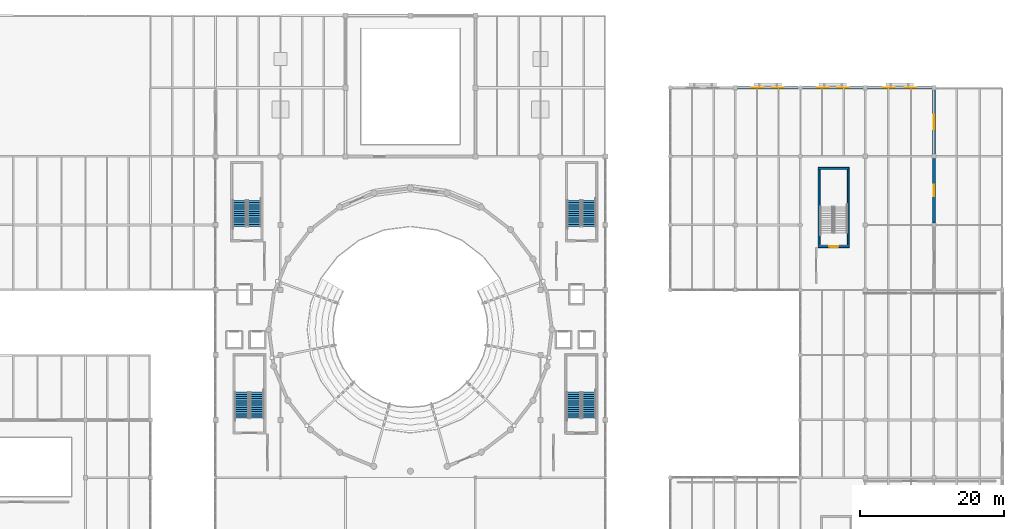
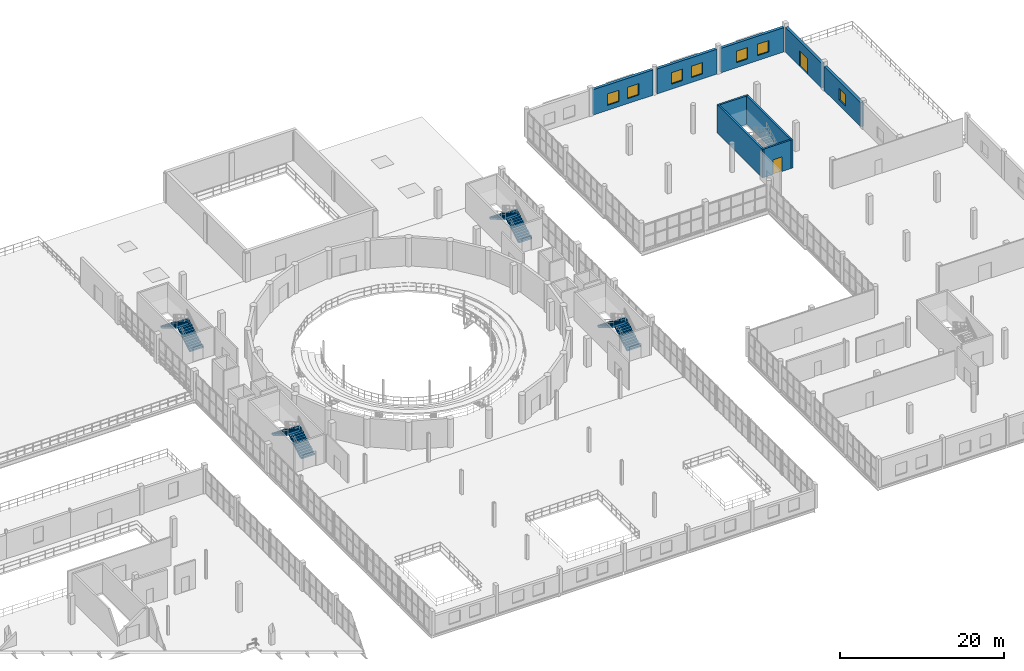
# One storey, part 60 of 73: 9 walls, 8 stair flights, 7 windows, 2 doors, 9 openings, 4 elements without a shape of their own.
"""IFC4 building model written with IfcOpenShell, lengths in metres."""

from ifc_helpers import new_model, si_unit, direction, frame, frame_2d, origin, place, context, subcontext, project, spatial, polyline, rectangle, outline, extrude, material, layer, layer_set, type_object, element, fill, aggregate, save


model = new_model("IFC4")

# Units and contexts
model_context = context("Model", 3, precision=1e-05, world=origin(), true_north=direction((0.0, 1.0)))
body_context = subcontext(model_context, "Body", "Model", "MODEL_VIEW")
ifc_project = project(units=[si_unit("LENGTHUNIT", "METRE"), si_unit("AREAUNIT", "SQUARE_METRE"), si_unit("VOLUMEUNIT", "CUBIC_METRE"), si_unit("PLANEANGLEUNIT", "RADIAN"), si_unit("MASSUNIT", "GRAM", prefix="KILO")], contexts=[model_context])

# Site, building, storey
site_placement = place(None, origin())
site = spatial("IfcSite", under=ifc_project, at=site_placement, CompositionType="ELEMENT")
building_placement = place(site_placement, origin())
building = spatial("IfcBuilding", under=site, at=building_placement, Name="Marnock Terrace Opera House", CompositionType="ELEMENT")
storey_placement = place(building_placement, frame((0.0, 0.0, 14.699951171875)))
storey = spatial("IfcBuildingStorey", under=building, at=storey_placement, Name="L03", CompositionType="ELEMENT", Elevation=14.699951171875)

# Wall, opening, window
ifc_material_1 = material(Name="Basket Range sandstone ashlar masonry", Category="masonry")
ifc_layer_1 = layer(ifc_material_1, 0.389892578125)
ifc_layer_set_1 = layer_set([ifc_layer_1], Name="Basket Range sandstone ashlar masonry")
wall_type_1 = type_object("IfcWallType", Name="EW-ASHLAR-390", PredefinedType="SOLIDWALL", material=ifc_layer_set_1)
wall_1_placement = place(storey_placement, frame((154.5, 75.2958984375, 0.0), z_axis=(0.0, 0.0, 1.0), x_axis=(0.0, 1.0, 0.0)))
wall_1 = element("IfcWall", 1, at=wall_1_placement, inside=storey, type_object=wall_type_1, Name="L03 Volume 5 east sandstone facade 9", PredefinedType="SOLIDWALL", context=body_context, shape_type="SweptSolid", body=[
    extrude(rectangle(XDim=8.908203125, YDim=0.389892578125, at=frame_2d((4.4541015625, 0.0))), origin(), (0.0, 0.0, 1.0), 3.6181640625),
])
opening_1_placement = place(wall_1_placement, frame((3.654052734375, 0.0, 0.85009765625)))
opening_1 = element("IfcOpeningElement", 2, at=opening_1_placement, cuts=wall_1, Name="Opening WT-107", PredefinedType="OPENING", context=body_context, shape_type="SweptSolid", body=[
    extrude(rectangle(XDim=1.60009765625, YDim=1.699951171875, at=frame_2d((0.800048828125, 0.85009765625))), frame((0.0, 0.204833984375, 0.0), z_axis=(0.0, -1.0, 0.0), x_axis=(1.0, 0.0, 0.0)), (0.0, 0.0, 1.0), 0.409912109375),
])
ifc_material_2 = material(Name="Double-glazed acoustic low-E laminated glass", Category="glass")
window_type = type_object("IfcWindowType", Name="WT-ATTIC-1600", PartitioningType="SINGLE_PANEL", PredefinedType="WINDOW", material=ifc_material_2)
window_1_placement = place(opening_1_placement, origin())
window_1 = element("IfcWindow", 3, at=window_1_placement, inside=storey, type_object=window_type, Name="L03 facade window EW-V5E-L03-09.1", OverallHeight=1.699951171875, OverallWidth=1.60009765625, PartitioningType="SINGLE_PANEL", PredefinedType="WINDOW", context=body_context, shape_type="SweptSolid", body=[
    extrude(rectangle(XDim=1.60009765625, YDim=1.699951171875, at=frame_2d((0.800048828125, 0.85009765625))), frame((0.0, 0.030029296875, 0.0), z_axis=(0.0, -1.0, 0.0), x_axis=(1.0, 0.0, 0.0)), (0.0, 0.0, 1.0), 0.06005859375),
])
fill(opening_1, window_1)

# Wall, opening, door
wall_2_placement = place(storey_placement, frame((154.5, 84.7958984375, 0.0), z_axis=(0.0, 0.0, 1.0), x_axis=(0.0, 1.0, 0.0)))
wall_2 = element("IfcWall", 4, at=wall_2_placement, inside=storey, type_object=wall_type_1, Name="L03 Volume 5 east sandstone facade 10", PredefinedType="SOLIDWALL", context=body_context, shape_type="SweptSolid", body=[
    extrude(rectangle(XDim=8.908203125, YDim=0.389892578125, at=frame_2d((4.4541015625, 0.0))), origin(), (0.0, 0.0, 1.0), 3.692138671875),
])
opening_2_placement = place(wall_2_placement, frame((3.428955078125, 0.0, 0.0)))
opening_2 = element("IfcOpeningElement", 5, at=opening_2_placement, cuts=wall_2, Name="Opening TD-05", PredefinedType="OPENING", context=body_context, shape_type="SweptSolid", body=[
    extrude(rectangle(XDim=2.050048828125, YDim=2.320068359375, at=frame_2d((1.02490234375, 1.16015625))), frame((0.0, 0.204833984375, 0.0), z_axis=(0.0, -1.0, 0.0), x_axis=(1.0, 0.0, 0.0)), (0.0, 0.0, 1.0), 0.409912109375),
])
ifc_material_3 = material(Name="Anodised architectural bronze aluminium framing", Category="aluminium")
door_type_1 = type_object("IfcDoorType", Name="DT-TERR-2050", OperationType="NOTDEFINED", PredefinedType="DOOR", material=ifc_material_3)
door_1_placement = place(opening_2_placement, origin())
door_1 = element("IfcDoor", 6, at=door_1_placement, inside=storey, type_object=door_type_1, Name="Exterior door TD-05", OperationType="DOUBLE_DOOR_SINGLE_SWING", OverallHeight=2.320068359375, OverallWidth=2.050048828125, PredefinedType="DOOR", context=body_context, shape_type="SweptSolid", body=[
    extrude(rectangle(XDim=2.050048828125, YDim=2.320068359375, at=frame_2d((1.02490234375, 1.16015625))), frame((0.0, 0.02490234375, 0.0), z_axis=(0.0, -1.0, 0.0), x_axis=(1.0, 0.0, 0.0)), (0.0, 0.0, 1.0), 0.050048828125),
])
fill(opening_2, door_1)

# Wall, openings, windows
wall_3_placement = place(storey_placement, frame((127.2958984375, 94.0, 0.0), z_axis=(0.0, 0.0, 1.0), x_axis=(1.0, 0.0, 0.0)))
wall_3 = element("IfcWall", 7, at=wall_3_placement, inside=storey, type_object=wall_type_1, Name="L03 Volume 5 north parklands facade 2", PredefinedType="SOLIDWALL", context=body_context, shape_type="SweptSolid", body=[
    extrude(rectangle(XDim=8.408203125, YDim=0.389892578125, at=frame_2d((4.2041015625, 0.0))), origin(), (0.0, 0.0, 1.0), 3.78955078125),
])
opening_3_placement = place(wall_3_placement, frame((2.002685546875, 0.0, 0.75)))
opening_3 = element("IfcOpeningElement", 8, at=opening_3_placement, cuts=wall_3, Name="Opening WT-107", PredefinedType="OPENING", context=body_context, shape_type="SweptSolid", body=[
    extrude(rectangle(XDim=1.60009765625, YDim=1.699951171875, at=frame_2d((0.800048828125, 0.85009765625))), frame((0.0, 0.204833984375, 0.0), z_axis=(0.0, -1.0, 0.0), x_axis=(1.0, 0.0, 0.0)), (0.0, 0.0, 1.0), 0.409912109375),
])
opening_4_placement = place(wall_3_placement, frame((4.805419921875, 0.0, 0.75)))
opening_4 = element("IfcOpeningElement", 9, at=opening_4_placement, cuts=wall_3, Name="Opening WT-107", PredefinedType="OPENING", context=body_context, shape_type="SweptSolid", body=[
    extrude(rectangle(XDim=1.60009765625, YDim=1.699951171875, at=frame_2d((0.800048828125, 0.85009765625))), frame((0.0, 0.204833984375, 0.0), z_axis=(0.0, -1.0, 0.0), x_axis=(1.0, 0.0, 0.0)), (0.0, 0.0, 1.0), 0.409912109375),
])
window_2_placement = place(opening_3_placement, origin())
window_2 = element("IfcWindow", 10, at=window_2_placement, inside=storey, type_object=window_type, Name="L03 facade window EW-V5N-L03-2.1", OverallHeight=1.699951171875, OverallWidth=1.60009765625, PartitioningType="SINGLE_PANEL", PredefinedType="WINDOW", context=body_context, shape_type="SweptSolid", body=[
    extrude(rectangle(XDim=1.60009765625, YDim=1.699951171875, at=frame_2d((0.800048828125, 0.85009765625))), frame((0.0, 0.030029296875, 0.0), z_axis=(0.0, -1.0, 0.0), x_axis=(1.0, 0.0, 0.0)), (0.0, 0.0, 1.0), 0.06005859375),
])
fill(opening_3, window_2)
window_3_placement = place(opening_4_placement, origin())
window_3 = element("IfcWindow", 11, at=window_3_placement, inside=storey, type_object=window_type, Name="L03 facade window EW-V5N-L03-2.2", OverallHeight=1.699951171875, OverallWidth=1.60009765625, PartitioningType="SINGLE_PANEL", PredefinedType="WINDOW", context=body_context, shape_type="SweptSolid", body=[
    extrude(rectangle(XDim=1.60009765625, YDim=1.699951171875, at=frame_2d((0.800048828125, 0.85009765625))), frame((0.0, 0.030029296875, 0.0), z_axis=(0.0, -1.0, 0.0), x_axis=(1.0, 0.0, 0.0)), (0.0, 0.0, 1.0), 0.06005859375),
])
fill(opening_4, window_3)

wall_4_placement = place(storey_placement, frame((136.2958984375, 94.0, 0.0), z_axis=(0.0, 0.0, 1.0), x_axis=(1.0, 0.0, 0.0)))
wall_4 = element("IfcWall", 12, at=wall_4_placement, inside=storey, type_object=wall_type_1, Name="L03 Volume 5 north parklands facade 3", PredefinedType="SOLIDWALL", context=body_context, shape_type="SweptSolid", body=[
    extrude(rectangle(XDim=8.408203125, YDim=0.389892578125, at=frame_2d((4.2041015625, 0.0))), origin(), (0.0, 0.0, 1.0), 3.717041015625),
])
opening_5_placement = place(wall_4_placement, frame((2.002685546875, 0.0, 0.75)))
opening_5 = element("IfcOpeningElement", 13, at=opening_5_placement, cuts=wall_4, Name="Opening WT-107", PredefinedType="OPENING", context=body_context, shape_type="SweptSolid", body=[
    extrude(rectangle(XDim=1.60009765625, YDim=1.699951171875, at=frame_2d((0.800048828125, 0.85009765625))), frame((0.0, 0.204833984375, 0.0), z_axis=(0.0, -1.0, 0.0), x_axis=(1.0, 0.0, 0.0)), (0.0, 0.0, 1.0), 0.409912109375),
])
opening_6_placement = place(wall_4_placement, frame((4.805419921875, 0.0, 0.75)))
opening_6 = element("IfcOpeningElement", 14, at=opening_6_placement, cuts=wall_4, Name="Opening WT-107", PredefinedType="OPENING", context=body_context, shape_type="SweptSolid", body=[
    extrude(rectangle(XDim=1.60009765625, YDim=1.699951171875, at=frame_2d((0.800048828125, 0.85009765625))), frame((0.0, 0.204833984375, 0.0), z_axis=(0.0, -1.0, 0.0), x_axis=(1.0, 0.0, 0.0)), (0.0, 0.0, 1.0), 0.409912109375),
])
window_4_placement = place(opening_5_placement, origin())
window_4 = element("IfcWindow", 15, at=window_4_placement, inside=storey, type_object=window_type, Name="L03 facade window EW-V5N-L03-3.1", OverallHeight=1.699951171875, OverallWidth=1.60009765625, PartitioningType="SINGLE_PANEL", PredefinedType="WINDOW", context=body_context, shape_type="SweptSolid", body=[
    extrude(rectangle(XDim=1.60009765625, YDim=1.699951171875, at=frame_2d((0.800048828125, 0.85009765625))), frame((0.0, 0.030029296875, 0.0), z_axis=(0.0, -1.0, 0.0), x_axis=(1.0, 0.0, 0.0)), (0.0, 0.0, 1.0), 0.06005859375),
])
fill(opening_5, window_4)
window_5_placement = place(opening_6_placement, origin())
window_5 = element("IfcWindow", 16, at=window_5_placement, inside=storey, type_object=window_type, Name="L03 facade window EW-V5N-L03-3.2", OverallHeight=1.699951171875, OverallWidth=1.60009765625, PartitioningType="SINGLE_PANEL", PredefinedType="WINDOW", context=body_context, shape_type="SweptSolid", body=[
    extrude(rectangle(XDim=1.60009765625, YDim=1.699951171875, at=frame_2d((0.800048828125, 0.85009765625))), frame((0.0, 0.030029296875, 0.0), z_axis=(0.0, -1.0, 0.0), x_axis=(1.0, 0.0, 0.0)), (0.0, 0.0, 1.0), 0.06005859375),
])
fill(opening_6, window_5)

wall_5_placement = place(storey_placement, frame((145.2958984375, 94.0, 0.0), z_axis=(0.0, 0.0, 1.0), x_axis=(1.0, 0.0, 0.0)))
wall_5 = element("IfcWall", 17, at=wall_5_placement, inside=storey, type_object=wall_type_1, Name="L03 Volume 5 north parklands facade 4", PredefinedType="SOLIDWALL", context=body_context, shape_type="SweptSolid", body=[
    extrude(rectangle(XDim=8.908203125, YDim=0.389892578125, at=frame_2d((4.4541015625, 0.0))), origin(), (0.0, 0.0, 1.0), 3.64306640625),
])
opening_7_placement = place(wall_5_placement, frame((2.169189453125, 0.0, 0.75)))
opening_7 = element("IfcOpeningElement", 18, at=opening_7_placement, cuts=wall_5, Name="Opening WT-107", PredefinedType="OPENING", context=body_context, shape_type="SweptSolid", body=[
    extrude(rectangle(XDim=1.60009765625, YDim=1.699951171875, at=frame_2d((0.800048828125, 0.85009765625))), frame((0.0, 0.204833984375, 0.0), z_axis=(0.0, -1.0, 0.0), x_axis=(1.0, 0.0, 0.0)), (0.0, 0.0, 1.0), 0.409912109375),
])
opening_8_placement = place(wall_5_placement, frame((5.138671875, 0.0, 0.75)))
opening_8 = element("IfcOpeningElement", 19, at=opening_8_placement, cuts=wall_5, Name="Opening WT-107", PredefinedType="OPENING", context=body_context, shape_type="SweptSolid", body=[
    extrude(rectangle(XDim=1.60009765625, YDim=1.699951171875, at=frame_2d((0.800048828125, 0.85009765625))), frame((0.0, 0.204833984375, 0.0), z_axis=(0.0, -1.0, 0.0), x_axis=(1.0, 0.0, 0.0)), (0.0, 0.0, 1.0), 0.409912109375),
])
window_6_placement = place(opening_7_placement, origin())
window_6 = element("IfcWindow", 20, at=window_6_placement, inside=storey, type_object=window_type, Name="L03 facade window EW-V5N-L03-4.1", OverallHeight=1.699951171875, OverallWidth=1.60009765625, PartitioningType="SINGLE_PANEL", PredefinedType="WINDOW", context=body_context, shape_type="SweptSolid", body=[
    extrude(rectangle(XDim=1.60009765625, YDim=1.699951171875, at=frame_2d((0.800048828125, 0.85009765625))), frame((0.0, 0.030029296875, 0.0), z_axis=(0.0, -1.0, 0.0), x_axis=(1.0, 0.0, 0.0)), (0.0, 0.0, 1.0), 0.06005859375),
])
fill(opening_7, window_6)
window_7_placement = place(opening_8_placement, origin())
window_7 = element("IfcWindow", 21, at=window_7_placement, inside=storey, type_object=window_type, Name="L03 facade window EW-V5N-L03-4.2", OverallHeight=1.699951171875, OverallWidth=1.60009765625, PartitioningType="SINGLE_PANEL", PredefinedType="WINDOW", context=body_context, shape_type="SweptSolid", body=[
    extrude(rectangle(XDim=1.60009765625, YDim=1.699951171875, at=frame_2d((0.800048828125, 0.85009765625))), frame((0.0, 0.030029296875, 0.0), z_axis=(0.0, -1.0, 0.0), x_axis=(1.0, 0.0, 0.0)), (0.0, 0.0, 1.0), 0.06005859375),
])
fill(opening_8, window_7)

# Wall, opening, door
ifc_material_4 = material(Name="Concrete N40 (f'c = 40 MPa)", Category="concrete")
ifc_layer_2 = layer(ifc_material_4, 0.25)
ifc_layer_set_2 = layer_set([ifc_layer_2], Name="Concrete N40 (f'c = 40 MPa)")
wall_type_2 = type_object("IfcWallType", Name="SW-CORE-250", PredefinedType="SHEAR", material=ifc_layer_set_2)
wall_6_placement = place(storey_placement, frame((138.47509765625, 72.0, 0.0), z_axis=(0.0, 0.0, 1.0), x_axis=(1.0, 0.0, 0.0)))
wall_6 = element("IfcWall", 22, at=wall_6_placement, inside=storey, type_object=wall_type_2, Name="L03 Core C8 FRL 120/120/120 shear wall S", PredefinedType="SHEAR", context=body_context, shape_type="SweptSolid", body=[
    extrude(rectangle(XDim=4.289794921875, YDim=0.25, at=frame_2d((2.14501953125, 0.0))), origin(), (0.0, 0.0, 1.0), 4.25),
])
opening_9_placement = place(wall_6_placement, frame((1.4951171875, 0.0, 0.0)))
opening_9 = element("IfcOpeningElement", 23, at=opening_9_placement, cuts=wall_6, Name="Opening SD-C8-L03", PredefinedType="OPENING", context=body_context, shape_type="SweptSolid", body=[
    extrude(rectangle(XDim=1.300048828125, YDim=2.179931640625, at=frame_2d((0.64990234375, 1.08984375))), frame((0.0, 0.135009765625, 0.0), z_axis=(0.0, -1.0, 0.0), x_axis=(1.0, 0.0, 0.0)), (0.0, 0.0, 1.0), 0.27001953125),
])
ifc_material_5 = material(Name="Fire-rated acoustic timber-core door assembly", Category="wood")
door_type_2 = type_object("IfcDoorType", Name="DT-STAIR-1300", OperationType="NOTDEFINED", PredefinedType="DOOR", material=ifc_material_5)
door_2_placement = place(opening_9_placement, origin())
door_2 = element("IfcDoor", 24, at=door_2_placement, inside=storey, type_object=door_type_2, Name="L03 Stair ST-08 fire-isolated exit door", OperationType="SINGLE_SWING_LEFT", OverallHeight=2.179931640625, OverallWidth=1.300048828125, PredefinedType="DOOR", context=body_context, shape_type="SweptSolid", body=[
    extrude(rectangle(XDim=1.300048828125, YDim=2.179931640625, at=frame_2d((0.64990234375, 1.08984375))), frame((0.0, 0.02490234375, 0.0), z_axis=(0.0, -1.0, 0.0), x_axis=(1.0, 0.0, 0.0)), (0.0, 0.0, 1.0), 0.050048828125),
])
fill(opening_9, door_2)

# Walls
wall_7_placement = place(storey_placement, frame((138.47509765625, 82.840087890625, 0.0), z_axis=(0.0, 0.0, 1.0), x_axis=(1.0, 0.0, 0.0)))
element("IfcWall", 25, at=wall_7_placement, inside=storey, type_object=wall_type_2, Name="L03 Core C8 FRL 120/120/120 shear wall N", PredefinedType="SHEAR", context=body_context, shape_type="SweptSolid", body=[
    extrude(rectangle(XDim=4.289794921875, YDim=0.25, at=frame_2d((2.14501953125, 0.0))), origin(), (0.0, 0.0, 1.0), 4.25),
])
for number, where, z_axis, x_axis, name in (
    (26, (138.60009765625, 71.875, 0.0), (0.0, 0.0, 1.0), (0.0, 1.0, 0.0), "L03 Core C8 FRL 120/120/120 shear wall W"),
    (27, (142.639892578125, 71.875, 0.0), (0.0, 0.0, 1.0), (0.0, 1.0, 0.0), "L03 Core C8 FRL 120/120/120 shear wall E"),
):
    element("IfcWall", number, at=place(storey_placement, frame(where, z_axis=z_axis, x_axis=x_axis)), inside=storey, type_object=wall_type_2, Name=name, PredefinedType="SHEAR", context=body_context, shape_type="SweptSolid", body=[
        extrude(rectangle(XDim=11.090087890625, YDim=0.25, at=frame_2d((5.544921875, 0.0))), origin(), (0.0, 0.0, 1.0), 4.25),
    ])

# Stair, stair flights
stair_type_1 = type_object("IfcStairType", Name="ST-TYPE-2400", PredefinedType="HALF_TURN_STAIR", material=ifc_material_4)
stair_1_placement = place(storey_placement, origin())
stair_1 = element("IfcStair", 28, at=stair_1_placement, inside=storey, type_object=stair_type_1, Name="L03 ST-03", PredefinedType="HALF_TURN_STAIR")
stair_flight_type_1 = type_object("IfcStairFlightType", Name="FLT-TYPE-2400", PredefinedType="STRAIGHT", material=ifc_material_4)
stair_flight_1_placement = place(storey_placement, frame((60.3798828125, 74.800048828125, 0.0), z_axis=(0.0, 0.0, 1.0), x_axis=(0.0, 1.0, 0.0)))
stair_flight_1 = element("IfcStairFlight", 29, at=stair_flight_1_placement, type_object=stair_flight_type_1, Name="ST-03 flight 1", NumberOfRisers=13, NumberOfTreads=12, PredefinedType="STRAIGHT", RiserHeight=0.173076923, TreadLength=0.3, context=body_context, shape_type="SweptSolid", body=[
    extrude(outline(polyline([(-0.00048828125, -0.06005859375), (-0.00048828125, 0.0), (0.0, 0.0), (0.0, 0.173095703125), (0.300048828125, 0.173095703125), (0.300048828125, 0.34619140625), (0.60009765625, 0.34619140625), (0.60009765625, 0.519287109375), (0.89990234375, 0.519287109375), (0.89990234375, 0.6923828125), (1.199951171875, 0.6923828125), (1.199951171875, 0.865478515625), (1.5, 0.865478515625), (1.5, 1.03857421875), (1.800048828125, 1.03857421875), (1.800048828125, 1.21142578125), (2.10009765625, 1.21142578125), (2.10009765625, 1.384521484375), (2.39990234375, 1.384521484375), (2.39990234375, 1.5576171875), (2.699951171875, 1.5576171875), (2.699951171875, 1.730712890625), (3.0, 1.730712890625), (3.0, 1.90380859375), (3.300048828125, 1.90380859375), (3.300048828125, 2.076904296875), (3.60009765625, 2.076904296875), (3.60009765625, 2.25), (3.6005859375, 2.25), (3.6005859375, 1.90380859375), (3.60009765625, 1.90380859375), (0.300048828125, -0.06005859375), (-0.00048828125, -0.06005859375)])), frame((0.0, 0.93994140625, 0.0), z_axis=(0.0, -1.0, 0.0), x_axis=(1.0, 0.0, 0.0)), (0.0, 0.0, 1.0), 1.8798828125),
])
stair_flight_2_placement = place(storey_placement, frame((58.300048828125, 78.39990234375, 2.25), z_axis=(0.0, 0.0, 1.0), x_axis=(0.0, -1.0, 0.0)))
stair_flight_2 = element("IfcStairFlight", 30, at=stair_flight_2_placement, type_object=stair_flight_type_1, Name="ST-03 flight 2", NumberOfRisers=13, NumberOfTreads=12, PredefinedType="STRAIGHT", RiserHeight=0.173076923, TreadLength=0.3, context=body_context, shape_type="SweptSolid", body=[
    extrude(outline(polyline([(-0.00048828125, -0.06005859375), (-0.00048828125, 0.0), (0.0, 0.0), (0.0, 0.173095703125), (0.300048828125, 0.173095703125), (0.300048828125, 0.34619140625), (0.60009765625, 0.34619140625), (0.60009765625, 0.519287109375), (0.89990234375, 0.519287109375), (0.89990234375, 0.6923828125), (1.199951171875, 0.6923828125), (1.199951171875, 0.865478515625), (1.5, 0.865478515625), (1.5, 1.03857421875), (1.800048828125, 1.03857421875), (1.800048828125, 1.21142578125), (2.10009765625, 1.21142578125), (2.10009765625, 1.384521484375), (2.39990234375, 1.384521484375), (2.39990234375, 1.5576171875), (2.699951171875, 1.5576171875), (2.699951171875, 1.730712890625), (3.0, 1.730712890625), (3.0, 1.90380859375), (3.300048828125, 1.90380859375), (3.300048828125, 2.076904296875), (3.60009765625, 2.076904296875), (3.60009765625, 2.25), (3.6005859375, 2.25), (3.6005859375, 1.90380859375), (3.60009765625, 1.90380859375), (0.300048828125, -0.06005859375), (-0.00048828125, -0.06005859375)])), frame((0.0, 0.93994140625, 0.0), z_axis=(0.0, -1.0, 0.0), x_axis=(1.0, 0.0, 0.0)), (0.0, 0.0, 1.0), 1.8798828125),
])
aggregate(stair_1, [stair_flight_1, stair_flight_2])

stair_2_placement = place(storey_placement, origin())
stair_2 = element("IfcStair", 31, at=stair_2_placement, inside=storey, type_object=stair_type_1, Name="L03 ST-04", PredefinedType="HALF_TURN_STAIR")
stair_flight_3_placement = place(storey_placement, frame((106.739990234375, 74.800048828125, 0.0), z_axis=(0.0, 0.0, 1.0), x_axis=(0.0, 1.0, 0.0)))
stair_flight_3 = element("IfcStairFlight", 32, at=stair_flight_3_placement, type_object=stair_flight_type_1, Name="ST-04 flight 1", NumberOfRisers=13, NumberOfTreads=12, PredefinedType="STRAIGHT", RiserHeight=0.173076923, TreadLength=0.3, context=body_context, shape_type="SweptSolid", body=[
    extrude(outline(polyline([(-0.00048828125, -0.06005859375), (-0.00048828125, 0.0), (0.0, 0.0), (0.0, 0.173095703125), (0.300048828125, 0.173095703125), (0.300048828125, 0.34619140625), (0.60009765625, 0.34619140625), (0.60009765625, 0.519287109375), (0.89990234375, 0.519287109375), (0.89990234375, 0.6923828125), (1.199951171875, 0.6923828125), (1.199951171875, 0.865478515625), (1.5, 0.865478515625), (1.5, 1.03857421875), (1.800048828125, 1.03857421875), (1.800048828125, 1.21142578125), (2.10009765625, 1.21142578125), (2.10009765625, 1.384521484375), (2.39990234375, 1.384521484375), (2.39990234375, 1.5576171875), (2.699951171875, 1.5576171875), (2.699951171875, 1.730712890625), (3.0, 1.730712890625), (3.0, 1.90380859375), (3.300048828125, 1.90380859375), (3.300048828125, 2.076904296875), (3.60009765625, 2.076904296875), (3.60009765625, 2.25), (3.6005859375, 2.25), (3.6005859375, 1.90380859375), (3.60009765625, 1.90380859375), (0.300048828125, -0.06005859375), (-0.00048828125, -0.06005859375)])), frame((0.0, 0.93994140625, 0.0), z_axis=(0.0, -1.0, 0.0), x_axis=(1.0, 0.0, 0.0)), (0.0, 0.0, 1.0), 1.8798828125),
])
stair_flight_4_placement = place(storey_placement, frame((104.659912109375, 78.39990234375, 2.25), z_axis=(0.0, 0.0, 1.0), x_axis=(0.0, -1.0, 0.0)))
stair_flight_4 = element("IfcStairFlight", 33, at=stair_flight_4_placement, type_object=stair_flight_type_1, Name="ST-04 flight 2", NumberOfRisers=13, NumberOfTreads=12, PredefinedType="STRAIGHT", RiserHeight=0.173076923, TreadLength=0.3, context=body_context, shape_type="SweptSolid", body=[
    extrude(outline(polyline([(-0.00048828125, -0.06005859375), (-0.00048828125, 0.0), (0.0, 0.0), (0.0, 0.173095703125), (0.300048828125, 0.173095703125), (0.300048828125, 0.34619140625), (0.60009765625, 0.34619140625), (0.60009765625, 0.519287109375), (0.89990234375, 0.519287109375), (0.89990234375, 0.6923828125), (1.199951171875, 0.6923828125), (1.199951171875, 0.865478515625), (1.5, 0.865478515625), (1.5, 1.03857421875), (1.800048828125, 1.03857421875), (1.800048828125, 1.21142578125), (2.10009765625, 1.21142578125), (2.10009765625, 1.384521484375), (2.39990234375, 1.384521484375), (2.39990234375, 1.5576171875), (2.699951171875, 1.5576171875), (2.699951171875, 1.730712890625), (3.0, 1.730712890625), (3.0, 1.90380859375), (3.300048828125, 1.90380859375), (3.300048828125, 2.076904296875), (3.60009765625, 2.076904296875), (3.60009765625, 2.25), (3.6005859375, 2.25), (3.6005859375, 1.90380859375), (3.60009765625, 1.90380859375), (0.300048828125, -0.06005859375), (-0.00048828125, -0.06005859375)])), frame((0.0, 0.93994140625, 0.0), z_axis=(0.0, -1.0, 0.0), x_axis=(1.0, 0.0, 0.0)), (0.0, 0.0, 1.0), 1.8798828125),
])
aggregate(stair_2, [stair_flight_3, stair_flight_4])

stair_type_2 = type_object("IfcStairType", Name="ST-TYPE-2600", PredefinedType="HALF_TURN_STAIR", material=ifc_material_4)
stair_3_placement = place(storey_placement, origin())
stair_3 = element("IfcStair", 34, at=stair_3_placement, inside=storey, type_object=stair_type_2, Name="L03 ST-01", PredefinedType="HALF_TURN_STAIR")
stair_flight_type_2 = type_object("IfcStairFlightType", Name="FLT-TYPE-2600", PredefinedType="STRAIGHT", material=ifc_material_4)
stair_flight_5_placement = place(storey_placement, frame((60.760009765625, 48.239990234375, 0.0), z_axis=(0.0, 0.0, 1.0), x_axis=(0.0, 1.0, 0.0)))
stair_flight_5 = element("IfcStairFlight", 35, at=stair_flight_5_placement, type_object=stair_flight_type_2, Name="ST-01 flight 1", NumberOfRisers=13, NumberOfTreads=12, PredefinedType="STRAIGHT", RiserHeight=0.173076923, TreadLength=0.3, context=body_context, shape_type="SweptSolid", body=[
    extrude(outline(polyline([(-0.00048828125, -0.06005859375), (-0.00048828125, 0.0), (0.0, 0.0), (0.0, 0.173095703125), (0.300048828125, 0.173095703125), (0.300048828125, 0.34619140625), (0.60009765625, 0.34619140625), (0.60009765625, 0.519287109375), (0.89990234375, 0.519287109375), (0.89990234375, 0.6923828125), (1.199951171875, 0.6923828125), (1.199951171875, 0.865478515625), (1.5, 0.865478515625), (1.5, 1.03857421875), (1.800048828125, 1.03857421875), (1.800048828125, 1.21142578125), (2.10009765625, 1.21142578125), (2.10009765625, 1.384521484375), (2.39990234375, 1.384521484375), (2.39990234375, 1.5576171875), (2.699951171875, 1.5576171875), (2.699951171875, 1.730712890625), (3.0, 1.730712890625), (3.0, 1.90380859375), (3.300048828125, 1.90380859375), (3.300048828125, 2.076904296875), (3.60009765625, 2.076904296875), (3.60009765625, 2.25), (3.6005859375, 2.25), (3.6005859375, 1.90380859375), (3.60009765625, 1.90380859375), (0.300048828125, -0.06005859375), (-0.00048828125, -0.06005859375)])), frame((0.0, 0.9599609375, 0.0), z_axis=(0.0, -1.0, 0.0), x_axis=(1.0, 0.0, 0.0)), (0.0, 0.0, 1.0), 1.919921875),
])
stair_flight_6_placement = place(storey_placement, frame((58.639892578125, 51.840087890625, 2.25), z_axis=(0.0, 0.0, 1.0), x_axis=(0.0, -1.0, 0.0)))
stair_flight_6 = element("IfcStairFlight", 36, at=stair_flight_6_placement, type_object=stair_flight_type_2, Name="ST-01 flight 2", NumberOfRisers=13, NumberOfTreads=12, PredefinedType="STRAIGHT", RiserHeight=0.173076923, TreadLength=0.3, context=body_context, shape_type="SweptSolid", body=[
    extrude(outline(polyline([(-0.00048828125, -0.06005859375), (-0.00048828125, 0.0), (0.0, 0.0), (0.0, 0.173095703125), (0.300048828125, 0.173095703125), (0.300048828125, 0.34619140625), (0.60009765625, 0.34619140625), (0.60009765625, 0.519287109375), (0.89990234375, 0.519287109375), (0.89990234375, 0.6923828125), (1.199951171875, 0.6923828125), (1.199951171875, 0.865478515625), (1.5, 0.865478515625), (1.5, 1.03857421875), (1.800048828125, 1.03857421875), (1.800048828125, 1.21142578125), (2.10009765625, 1.21142578125), (2.10009765625, 1.384521484375), (2.39990234375, 1.384521484375), (2.39990234375, 1.5576171875), (2.699951171875, 1.5576171875), (2.699951171875, 1.730712890625), (3.0, 1.730712890625), (3.0, 1.90380859375), (3.300048828125, 1.90380859375), (3.300048828125, 2.076904296875), (3.60009765625, 2.076904296875), (3.60009765625, 2.25), (3.6005859375, 2.25), (3.6005859375, 1.90380859375), (3.60009765625, 1.90380859375), (0.300048828125, -0.06005859375), (-0.00048828125, -0.06005859375)])), frame((0.0, 0.9599609375, 0.0), z_axis=(0.0, -1.0, 0.0), x_axis=(1.0, 0.0, 0.0)), (0.0, 0.0, 1.0), 1.919921875),
])
aggregate(stair_3, [stair_flight_5, stair_flight_6])

stair_4_placement = place(storey_placement, origin())
stair_4 = element("IfcStair", 37, at=stair_4_placement, inside=storey, type_object=stair_type_2, Name="L03 ST-02", PredefinedType="HALF_TURN_STAIR")
stair_flight_7_placement = place(storey_placement, frame((106.719970703125, 48.239990234375, 0.0), z_axis=(0.0, 0.0, 1.0), x_axis=(0.0, 1.0, 0.0)))
stair_flight_7 = element("IfcStairFlight", 38, at=stair_flight_7_placement, type_object=stair_flight_type_2, Name="ST-02 flight 1", NumberOfRisers=13, NumberOfTreads=12, PredefinedType="STRAIGHT", RiserHeight=0.173076923, TreadLength=0.3, context=body_context, shape_type="SweptSolid", body=[
    extrude(outline(polyline([(-0.00048828125, -0.06005859375), (-0.00048828125, 0.0), (0.0, 0.0), (0.0, 0.173095703125), (0.300048828125, 0.173095703125), (0.300048828125, 0.34619140625), (0.60009765625, 0.34619140625), (0.60009765625, 0.519287109375), (0.89990234375, 0.519287109375), (0.89990234375, 0.6923828125), (1.199951171875, 0.6923828125), (1.199951171875, 0.865478515625), (1.5, 0.865478515625), (1.5, 1.03857421875), (1.800048828125, 1.03857421875), (1.800048828125, 1.21142578125), (2.10009765625, 1.21142578125), (2.10009765625, 1.384521484375), (2.39990234375, 1.384521484375), (2.39990234375, 1.5576171875), (2.699951171875, 1.5576171875), (2.699951171875, 1.730712890625), (3.0, 1.730712890625), (3.0, 1.90380859375), (3.300048828125, 1.90380859375), (3.300048828125, 2.076904296875), (3.60009765625, 2.076904296875), (3.60009765625, 2.25), (3.6005859375, 2.25), (3.6005859375, 1.90380859375), (3.60009765625, 1.90380859375), (0.300048828125, -0.06005859375), (-0.00048828125, -0.06005859375)])), frame((0.0, 0.9599609375, 0.0), z_axis=(0.0, -1.0, 0.0), x_axis=(1.0, 0.0, 0.0)), (0.0, 0.0, 1.0), 1.919921875),
])
stair_flight_8_placement = place(storey_placement, frame((104.60009765625, 51.840087890625, 2.25), z_axis=(0.0, 0.0, 1.0), x_axis=(0.0, -1.0, 0.0)))
stair_flight_8 = element("IfcStairFlight", 39, at=stair_flight_8_placement, type_object=stair_flight_type_2, Name="ST-02 flight 2", NumberOfRisers=13, NumberOfTreads=12, PredefinedType="STRAIGHT", RiserHeight=0.173076923, TreadLength=0.3, context=body_context, shape_type="SweptSolid", body=[
    extrude(outline(polyline([(-0.00048828125, -0.06005859375), (-0.00048828125, 0.0), (0.0, 0.0), (0.0, 0.173095703125), (0.300048828125, 0.173095703125), (0.300048828125, 0.34619140625), (0.60009765625, 0.34619140625), (0.60009765625, 0.519287109375), (0.89990234375, 0.519287109375), (0.89990234375, 0.6923828125), (1.199951171875, 0.6923828125), (1.199951171875, 0.865478515625), (1.5, 0.865478515625), (1.5, 1.03857421875), (1.800048828125, 1.03857421875), (1.800048828125, 1.21142578125), (2.10009765625, 1.21142578125), (2.10009765625, 1.384521484375), (2.39990234375, 1.384521484375), (2.39990234375, 1.5576171875), (2.699951171875, 1.5576171875), (2.699951171875, 1.730712890625), (3.0, 1.730712890625), (3.0, 1.90380859375), (3.300048828125, 1.90380859375), (3.300048828125, 2.076904296875), (3.60009765625, 2.076904296875), (3.60009765625, 2.25), (3.6005859375, 2.25), (3.6005859375, 1.90380859375), (3.60009765625, 1.90380859375), (0.300048828125, -0.06005859375), (-0.00048828125, -0.06005859375)])), frame((0.0, 0.9599609375, 0.0), z_axis=(0.0, -1.0, 0.0), x_axis=(1.0, 0.0, 0.0)), (0.0, 0.0, 1.0), 1.919921875),
])
aggregate(stair_4, [stair_flight_7, stair_flight_8])

save(model, "model.ifc")
